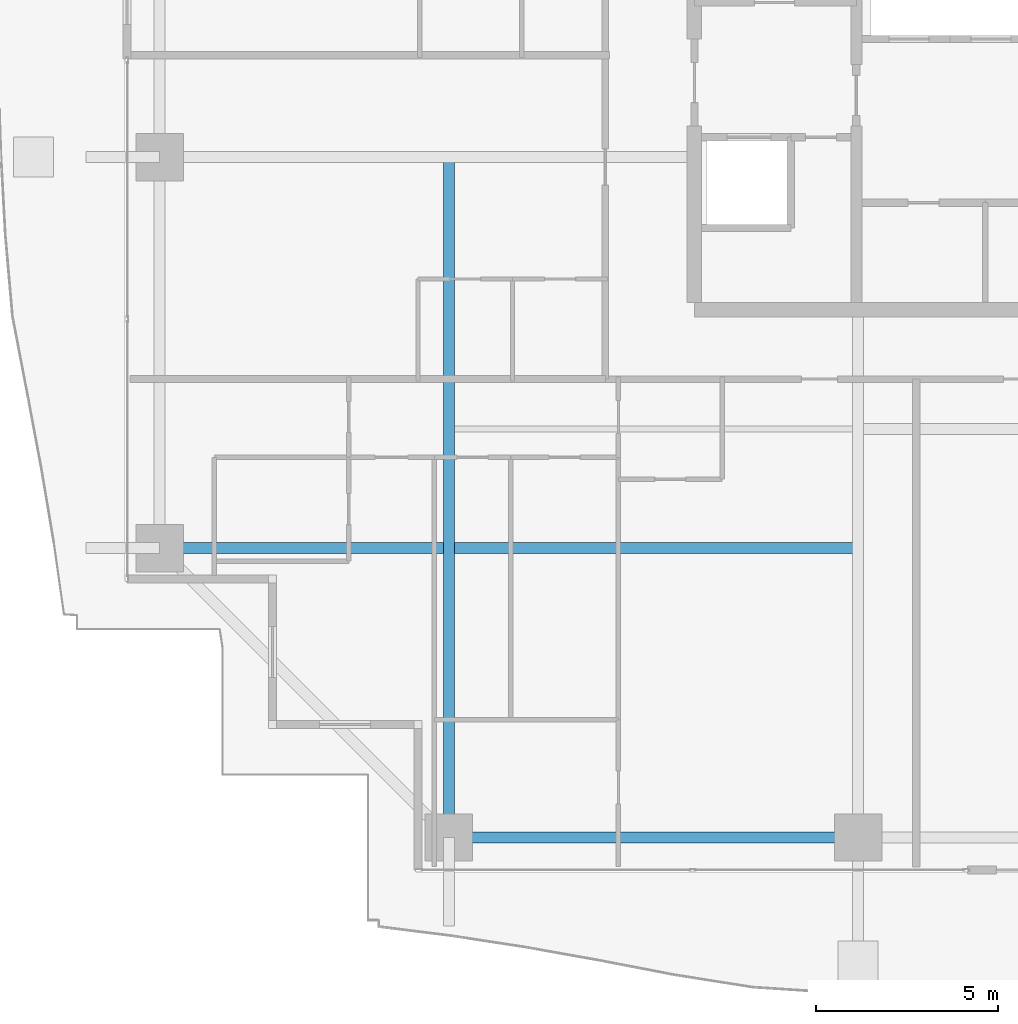
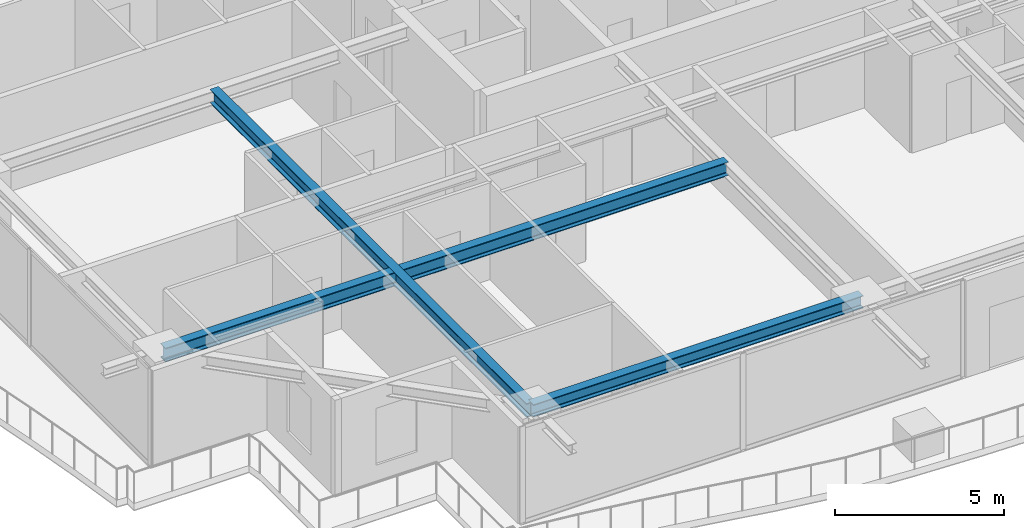
# One storey, part 4 of 34: 3 beams.
"""IFC4 building model written with IfcOpenShell, lengths in metres."""

from ifc_helpers import new_model, si_unit, direction, frame, origin, origin_2d, place, context, subcontext, project, spatial, i_section, extrude, source, transform, mapped, material, material_profile, profile_set, type_object, element, save


model = new_model("IFC4")

# Units and contexts
model_context = context("Model", 3, precision=1e-05, world=origin(), true_north=direction((0.0, 1.0)))
body_context = subcontext(model_context, "Body", "Model", "MODEL_VIEW")
ifc_project = project(units=[si_unit("LENGTHUNIT", "METRE"), si_unit("AREAUNIT", "SQUARE_METRE"), si_unit("VOLUMEUNIT", "CUBIC_METRE"), si_unit("PLANEANGLEUNIT", "RADIAN"), si_unit("MASSUNIT", "GRAM", prefix="KILO")], contexts=[model_context])

# Site, building, storey
site_placement = place(None, origin())
site = spatial("IfcSite", under=ifc_project, at=site_placement, CompositionType="ELEMENT")
building_placement = place(site_placement, origin())
building = spatial("IfcBuilding", under=site, at=building_placement, Name="Serunith Strait Residences", CompositionType="ELEMENT")
storey_placement = place(building_placement, frame((0.0, 0.0, 142.64990234375)))
storey = spatial("IfcBuildingStorey", under=building, at=storey_placement, Name="L35", CompositionType="ELEMENT", Elevation=142.64990234375)

# Beams
ifc_material = material(Name="Steel S355J2", Category="steel")
ifc_material_profile_1 = material_profile(ifc_material, i_section(OverallWidth=0.300048828125, OverallDepth=0.5, WebThickness=0.014404296875, FlangeThickness=0.028076171875, FilletRadius=0.027099609375, at=origin_2d()), Name="HEB 500")
ifc_profile_set_1 = profile_set([ifc_material_profile_1], Name="Steel S355J2")
beam_type_1 = type_object("IfcBeamType", Name="BM-HEB500", PredefinedType="BEAM", material=ifc_profile_set_1)
shared_shape_1 = source(origin(), body_context, "Body", "SweptSolid", [
    extrude(i_section(OverallWidth=0.300048828125, OverallDepth=0.5, WebThickness=0.014404296875, FlangeThickness=0.028076171875, FilletRadius=0.027099609375, at=origin_2d()), origin(), (0.0, 0.0, 1.0), 18.699951171875),
])
beam_1_placement = place(storey_placement, frame((16.64990234375, 21.0, 3.237060546875), z_axis=(0.0, -1.0, 0.0), x_axis=(1.0, 0.0, 0.0)))
element("IfcBeam", 1, at=beam_1_placement, inside=storey, type_object=beam_type_1, Name="L35 Orthogonal Corner Girder TC-S1", PredefinedType="BEAM", context=body_context, shape_type="MappedRepresentation", body=[
    mapped(shared_shape_1, transform((0.0, 0.0, 0.0), scale=1.0)),
])
shared_shape_2 = source(origin(), body_context, "Body", "SweptSolid", [
    extrude(i_section(OverallWidth=0.300048828125, OverallDepth=0.5, WebThickness=0.014404296875, FlangeThickness=0.028076171875, FilletRadius=0.027099609375, at=origin_2d()), origin(), (0.0, 0.0, 1.0), 19.199951171875),
])
beam_2_placement = place(storey_placement, frame((27.89990234375, 10.25, 3.237060546875), z_axis=(-1.0, 0.0, 0.0), x_axis=(0.0, -1.0, 0.0)))
element("IfcBeam", 2, at=beam_2_placement, inside=storey, type_object=beam_type_1, Name="L35 Orthogonal Corner Girder TC-W1", PredefinedType="BEAM", context=body_context, shape_type="MappedRepresentation", body=[
    mapped(shared_shape_2, transform((0.0, 0.0, 0.0), scale=1.0)),
])
ifc_material_profile_2 = material_profile(ifc_material, i_section(OverallWidth=0.300048828125, OverallDepth=0.449951171875, WebThickness=0.013916015625, FlangeThickness=0.02587890625, FilletRadius=0.027099609375, at=origin_2d()), Name="HEB 450")
ifc_profile_set_2 = profile_set([ifc_material_profile_2], Name="Steel S355J2")
beam_type_2 = type_object("IfcBeamType", Name="BM-HEB450", PredefinedType="BEAM", material=ifc_profile_set_2)
shared_shape_3 = source(origin(), body_context, "Body", "SweptSolid", [
    extrude(i_section(OverallWidth=0.300048828125, OverallDepth=0.449951171875, WebThickness=0.013916015625, FlangeThickness=0.02587890625, FilletRadius=0.027099609375, at=origin_2d()), origin(), (0.0, 0.0, 1.0), 11.25),
])
beam_3_placement = place(storey_placement, frame((16.64990234375, 2.300048828125, 3.26220703125), z_axis=(1.0, 0.0, 0.0), x_axis=(0.0, 1.0, 0.0)))
element("IfcBeam", 3, at=beam_3_placement, inside=storey, type_object=beam_type_2, Name="L35 Perimeter Ring Beam 01", PredefinedType="BEAM", context=body_context, shape_type="MappedRepresentation", body=[
    mapped(shared_shape_3, transform((0.0, 0.0, 0.0), scale=1.0)),
])

save(model, "model.ifc")
